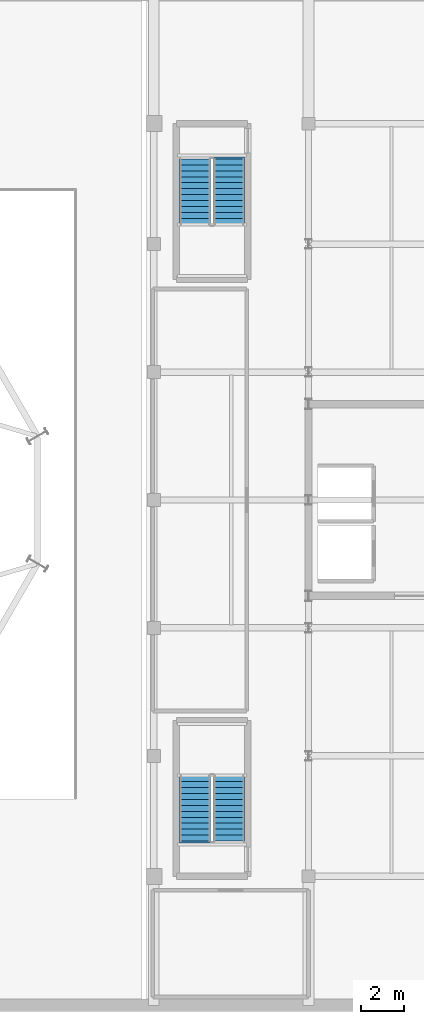
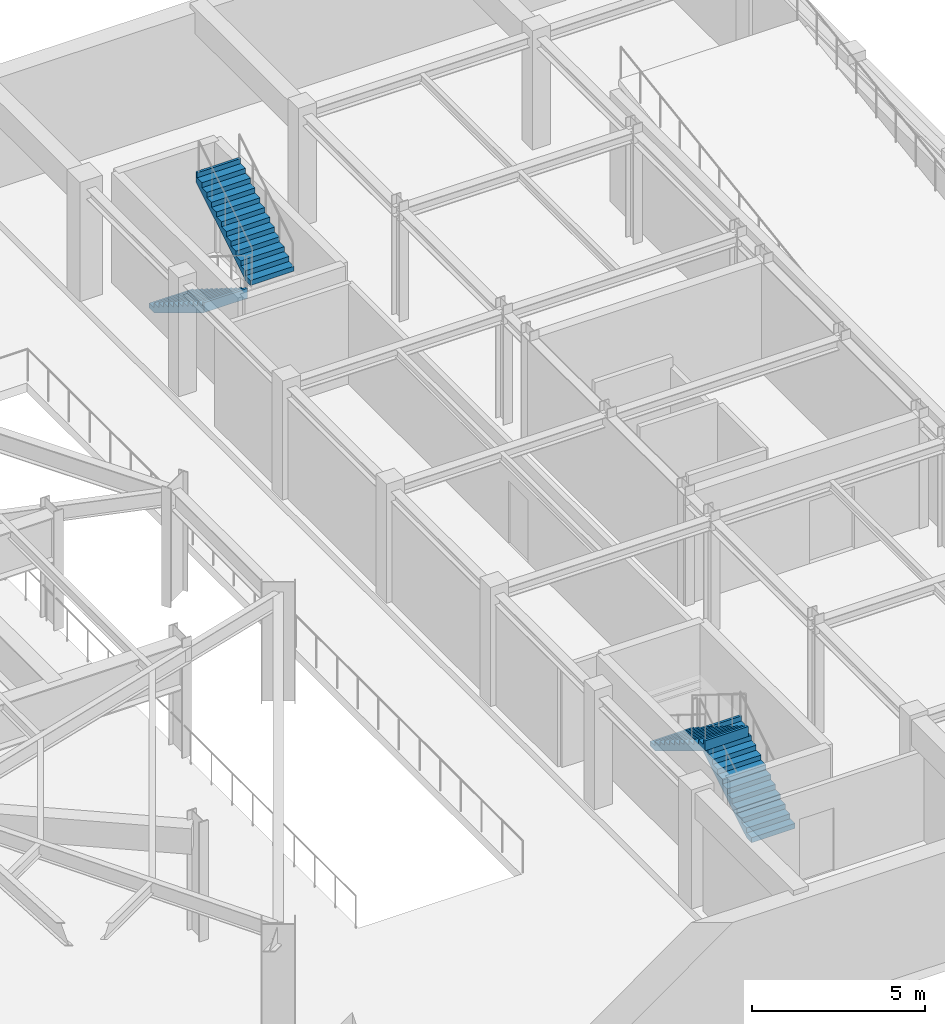
# One storey, part 9 of 12: 4 stair flights, 2 elements without a shape of their own.
"""IFC4 building model written with IfcOpenShell, lengths in metres."""

from ifc_helpers import new_model, si_unit, direction, frame, origin, place, context, subcontext, project, spatial, polyline, outline, extrude, material, type_object, element, aggregate, save


model = new_model("IFC4")

# Units and contexts
model_context = context("Model", 3, precision=1e-05, world=origin(), true_north=direction((0.0, 1.0)))
body_context = subcontext(model_context, "Body", "Model", "MODEL_VIEW")
ifc_project = project(units=[si_unit("LENGTHUNIT", "METRE"), si_unit("AREAUNIT", "SQUARE_METRE"), si_unit("VOLUMEUNIT", "CUBIC_METRE"), si_unit("PLANEANGLEUNIT", "RADIAN"), si_unit("MASSUNIT", "GRAM", prefix="KILO")], contexts=[model_context])

# Site, building, storey
site_placement = place(None, origin())
site = spatial("IfcSite", under=ifc_project, at=site_placement, CompositionType="ELEMENT")
building_placement = place(site_placement, origin())
building = spatial("IfcBuilding", under=site, at=building_placement, Name="Kranzbogen Civic Tower", CompositionType="ELEMENT")
storey_placement = place(building_placement, frame((0.0, 0.0, -4.199951171875)))
storey = spatial("IfcBuildingStorey", under=building, at=storey_placement, Name="B01", CompositionType="ELEMENT", Elevation=-4.199951171875)

# Stair, stair flights
ifc_material = material(Name="Precast concrete C40/50", Category="concrete")
stair_type = type_object("IfcStairType", Name="Health Centre Escape Dogleg Stair 1450", PredefinedType="HALF_TURN_STAIR", material=ifc_material)
stair_1_placement = place(storey_placement, origin())
stair_1 = element("IfcStair", 1, at=stair_1_placement, inside=storey, type_object=stair_type, Name="B01 Health Centre Escape Stair 1", PredefinedType="HALF_TURN_STAIR")
stair_flight_type = type_object("IfcStairFlightType", Name="Precast Concrete Stair Flight R175", PredefinedType="STRAIGHT", material=ifc_material)
stair_flight_1_placement = place(storey_placement, frame((55.875, 9.0, 0.0), z_axis=(0.0, 0.0, 1.0), x_axis=(0.0, 1.0, 0.0)))
stair_flight_1 = element("IfcStairFlight", 2, at=stair_flight_1_placement, type_object=stair_flight_type, Name="ST-H1 flight 1", NumberOfRisers=12, NumberOfTreads=11, PredefinedType="STRAIGHT", RiserHeight=0.175, TreadLength=0.28, context=body_context, shape_type="SweptSolid", body=[
    extrude(outline(polyline([(0.0, 0.0), (0.0, 0.175048828125), (0.280029296875, 0.175048828125), (0.280029296875, 0.35009765625), (0.56005859375, 0.35009765625), (0.56005859375, 0.52490234375), (0.840087890625, 0.52490234375), (0.840087890625, 0.699951171875), (1.1201171875, 0.699951171875), (1.1201171875, 0.875), (1.39990234375, 0.875), (1.39990234375, 1.050048828125), (1.679931640625, 1.050048828125), (1.679931640625, 1.22509765625), (1.9599609375, 1.22509765625), (1.9599609375, 1.39990234375), (2.239990234375, 1.39990234375), (2.239990234375, 1.574951171875), (2.52001953125, 1.574951171875), (2.52001953125, 1.75), (2.800048828125, 1.75), (2.800048828125, 1.925048828125), (3.080078125, 1.925048828125), (3.080078125, 2.10009765625), (3.16015625, 2.10009765625), (3.16015625, 1.748291015625), (0.28271484375, 0.0), (0.0, 0.0)])), frame((0.0, 0.72509765625, 0.0), z_axis=(0.0, -1.0, 0.0), x_axis=(1.0, 0.0, 0.0)), (0.0, 0.0, 1.0), 1.449951171875),
])
stair_flight_2_placement = place(storey_placement, frame((54.27490234375, 12.080078125, 2.099853515625), z_axis=(0.0, 0.0, 1.0), x_axis=(0.0, -1.0, 0.0)))
stair_flight_2 = element("IfcStairFlight", 3, at=stair_flight_2_placement, type_object=stair_flight_type, Name="ST-H1 flight 2", NumberOfRisers=12, NumberOfTreads=11, PredefinedType="STRAIGHT", RiserHeight=0.175, TreadLength=0.28, context=body_context, shape_type="SweptSolid", body=[
    extrude(outline(polyline([(0.0, 0.0), (0.0, 0.175048828125), (0.280029296875, 0.175048828125), (0.280029296875, 0.35009765625), (0.56005859375, 0.35009765625), (0.56005859375, 0.52490234375), (0.840087890625, 0.52490234375), (0.840087890625, 0.699951171875), (1.1201171875, 0.699951171875), (1.1201171875, 0.875), (1.39990234375, 0.875), (1.39990234375, 1.050048828125), (1.679931640625, 1.050048828125), (1.679931640625, 1.22509765625), (1.9599609375, 1.22509765625), (1.9599609375, 1.39990234375), (2.239990234375, 1.39990234375), (2.239990234375, 1.574951171875), (2.52001953125, 1.574951171875), (2.52001953125, 1.75), (2.800048828125, 1.75), (2.800048828125, 1.925048828125), (3.080078125, 1.925048828125), (3.080078125, 2.10009765625), (3.16015625, 2.10009765625), (3.16015625, 1.748291015625), (0.28271484375, 0.0), (0.0, 0.0)])), frame((0.0, 0.72509765625, 0.0), z_axis=(0.0, -1.0, 0.0), x_axis=(1.0, 0.0, 0.0)), (0.0, 0.0, 1.0), 1.449951171875),
])
aggregate(stair_1, [stair_flight_1, stair_flight_2])

stair_2_placement = place(storey_placement, origin())
stair_2 = element("IfcStair", 4, at=stair_2_placement, inside=storey, type_object=stair_type, Name="B01 Health Centre Escape Stair 2", PredefinedType="HALF_TURN_STAIR")
stair_flight_3_placement = place(storey_placement, frame((54.27490234375, 41.0, 0.0), z_axis=(0.0, 0.0, 1.0), x_axis=(0.0, -1.0, 0.0)))
stair_flight_3 = element("IfcStairFlight", 5, at=stair_flight_3_placement, type_object=stair_flight_type, Name="ST-H2 flight 1", NumberOfRisers=12, NumberOfTreads=11, PredefinedType="STRAIGHT", RiserHeight=0.175, TreadLength=0.28, context=body_context, shape_type="SweptSolid", body=[
    extrude(outline(polyline([(0.0, 0.0), (0.0, 0.175048828125), (0.280029296875, 0.175048828125), (0.280029296875, 0.35009765625), (0.56005859375, 0.35009765625), (0.56005859375, 0.52490234375), (0.840087890625, 0.52490234375), (0.840087890625, 0.699951171875), (1.1201171875, 0.699951171875), (1.1201171875, 0.875), (1.39990234375, 0.875), (1.39990234375, 1.050048828125), (1.679931640625, 1.050048828125), (1.679931640625, 1.22509765625), (1.9599609375, 1.22509765625), (1.9599609375, 1.39990234375), (2.239990234375, 1.39990234375), (2.239990234375, 1.574951171875), (2.52001953125, 1.574951171875), (2.52001953125, 1.75), (2.800048828125, 1.75), (2.800048828125, 1.925048828125), (3.080078125, 1.925048828125), (3.080078125, 2.10009765625), (3.16015625, 2.10009765625), (3.16015625, 1.748291015625), (0.28271484375, 0.0), (0.0, 0.0)])), frame((0.0, 0.72509765625, 0.0), z_axis=(0.0, -1.0, 0.0), x_axis=(1.0, 0.0, 0.0)), (0.0, 0.0, 1.0), 1.449951171875),
])
stair_flight_4_placement = place(storey_placement, frame((55.875, 37.919921875, 2.099853515625), z_axis=(0.0, 0.0, 1.0), x_axis=(0.0, 1.0, 0.0)))
stair_flight_4 = element("IfcStairFlight", 6, at=stair_flight_4_placement, type_object=stair_flight_type, Name="ST-H2 flight 2", NumberOfRisers=12, NumberOfTreads=11, PredefinedType="STRAIGHT", RiserHeight=0.175, TreadLength=0.28, context=body_context, shape_type="SweptSolid", body=[
    extrude(outline(polyline([(0.0, 0.0), (0.0, 0.175048828125), (0.280029296875, 0.175048828125), (0.280029296875, 0.35009765625), (0.56005859375, 0.35009765625), (0.56005859375, 0.52490234375), (0.840087890625, 0.52490234375), (0.840087890625, 0.699951171875), (1.1201171875, 0.699951171875), (1.1201171875, 0.875), (1.39990234375, 0.875), (1.39990234375, 1.050048828125), (1.679931640625, 1.050048828125), (1.679931640625, 1.22509765625), (1.9599609375, 1.22509765625), (1.9599609375, 1.39990234375), (2.239990234375, 1.39990234375), (2.239990234375, 1.574951171875), (2.52001953125, 1.574951171875), (2.52001953125, 1.75), (2.800048828125, 1.75), (2.800048828125, 1.925048828125), (3.080078125, 1.925048828125), (3.080078125, 2.10009765625), (3.16015625, 2.10009765625), (3.16015625, 1.748291015625), (0.28271484375, 0.0), (0.0, 0.0)])), frame((0.0, 0.72509765625, 0.0), z_axis=(0.0, -1.0, 0.0), x_axis=(1.0, 0.0, 0.0)), (0.0, 0.0, 1.0), 1.449951171875),
])
aggregate(stair_2, [stair_flight_3, stair_flight_4])

save(model, "model.ifc")
